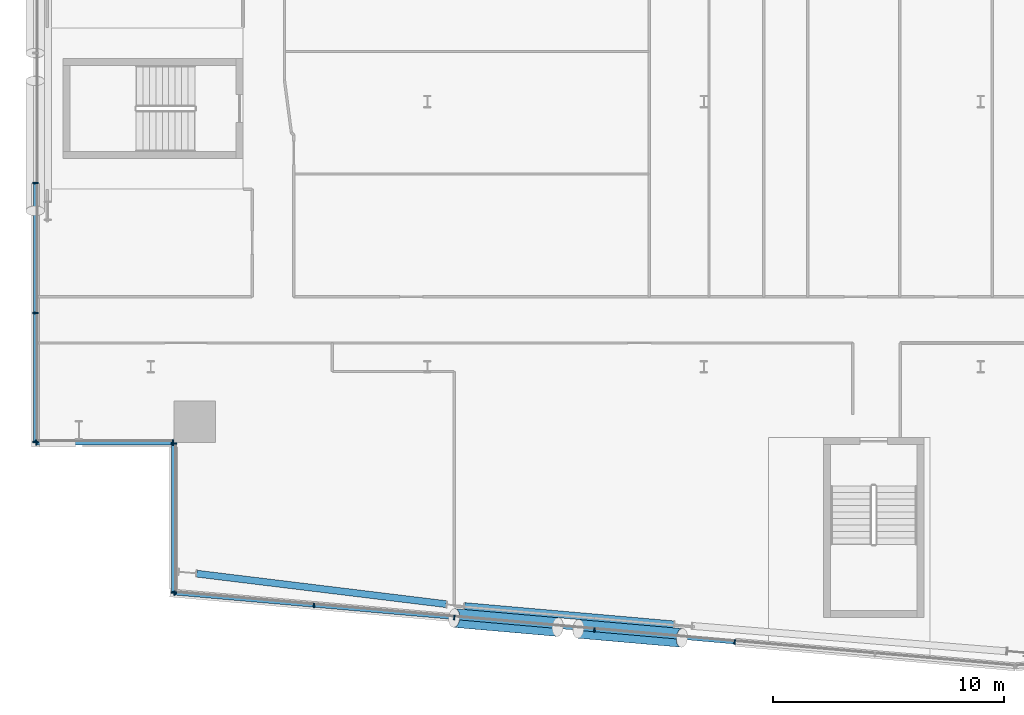
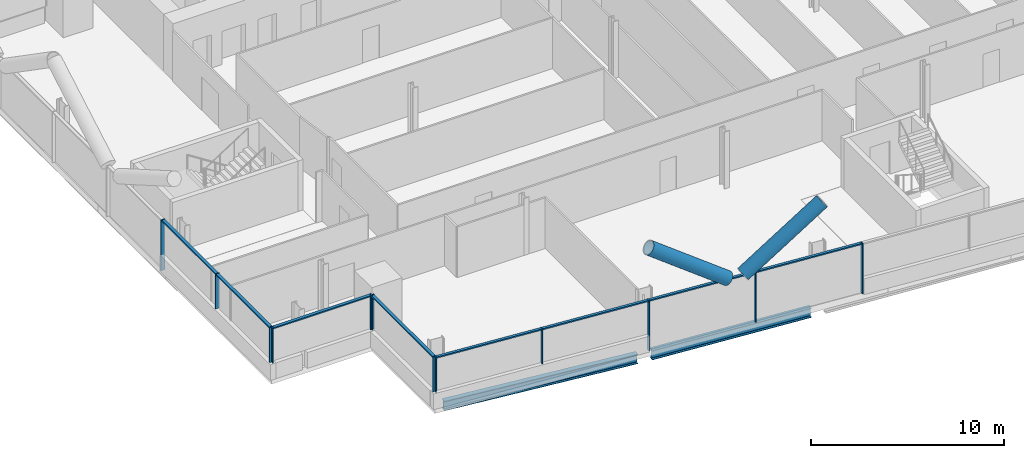
# One storey, part 5 of 27: 22 members, 2 beams, 4 elements without a shape of their own.
"""IFC4 building model written with IfcOpenShell, lengths in metres."""

from ifc_helpers import new_model, si_unit, direction, frame, origin, origin_2d, place, context, subcontext, project, spatial, rectangle, hollow_circle, i_section, extrude, material, material_profile, profile_set, type_object, element, aggregate, save


model = new_model("IFC4")

# Units and contexts
model_context = context("Model", 3, precision=1e-05, world=origin(), true_north=direction((0.0, 1.0)))
body_context = subcontext(model_context, "Body", "Model", "MODEL_VIEW")
ifc_project = project(units=[si_unit("LENGTHUNIT", "METRE"), si_unit("AREAUNIT", "SQUARE_METRE"), si_unit("VOLUMEUNIT", "CUBIC_METRE"), si_unit("PLANEANGLEUNIT", "RADIAN"), si_unit("MASSUNIT", "GRAM", prefix="KILO")], contexts=[model_context])

# Site, building, storey
site_placement = place(None, origin())
site = spatial("IfcSite", under=ifc_project, at=site_placement, CompositionType="ELEMENT")
building_placement = place(site_placement, origin())
building = spatial("IfcBuilding", under=site, at=building_placement, Name="Wharfspan Tower", CompositionType="ELEMENT")
storey_placement = place(building_placement, frame((0.0, 0.0, 139.899902)))
storey = spatial("IfcBuildingStorey", under=building, at=storey_placement, Name="L33", CompositionType="ELEMENT", Elevation=139.899902)

# Beams
ifc_material_1 = material(Name="Steel S355J2", Category="steel")
ifc_material_profile_1 = material_profile(ifc_material_1, i_section(OverallWidth=0.300049, OverallDepth=0.600098, WebThickness=0.015381, FlangeThickness=0.030029, FilletRadius=0.0271, at=origin_2d()))
ifc_profile_set_1 = profile_set([ifc_material_profile_1], Name="Steel S355J2")
beam_type = type_object("IfcBeamType", Name="Edge beam HEB 600", PredefinedType="SPANDREL", material=ifc_profile_set_1)
beam_1_placement = place(storey_placement, frame((13.990967, 2.520508, -0.699951), z_axis=(0.992611, -0.121342, 0.0), x_axis=(0.121342, 0.992611, 0.0)))
element("IfcBeam", 1, at=beam_1_placement, inside=storey, type_object=beam_type, Name="Edge beam S1 L33 PS1.1 to PS1.2", PredefinedType="SPANDREL", context=body_context, shape_type="SweptSolid", body=[
    extrude(i_section(OverallWidth=0.300049, OverallDepth=0.600098, WebThickness=0.015381, FlangeThickness=0.030029, FilletRadius=0.0271, at=origin_2d()), origin(), (0.0, 0.0, 1.0), 10.903076),
])
beam_2_placement = place(storey_placement, frame((25.615234, 1.113525, -0.699951), z_axis=(0.996195, -0.087151, 0.0), x_axis=(0.087151, 0.996195, 0.0)))
element("IfcBeam", 2, at=beam_2_placement, inside=storey, type_object=beam_type, Name="Edge beam S1 L33 PS1.2 to PS1.3", PredefinedType="SPANDREL", context=body_context, shape_type="SweptSolid", body=[
    extrude(i_section(OverallWidth=0.300049, OverallDepth=0.600098, WebThickness=0.015381, FlangeThickness=0.030029, FilletRadius=0.0271, at=origin_2d()), origin(), (0.0, 0.0, 1.0), 9.107178),
])

# Curtain wall, members
ifc_material_2 = material(Name="Aluminium 6063-T6", Category="aluminium")
curtain_wall_type_1 = type_object("IfcCurtainWallType", Name="CURTAIN WALL FACETED FRONT", PredefinedType="NOTDEFINED", material=ifc_material_2)
curtain_wall_1_placement = place(storey_placement, origin())
curtain_wall_1 = element("IfcCurtainWall", 3, at=curtain_wall_1_placement, inside=storey, type_object=curtain_wall_type_1, Name="Curtain wall S1", PredefinedType="NOTDEFINED")
ifc_material_profile_2 = material_profile(ifc_material_2, rectangle(XDim=0.199951, YDim=0.060059, at=origin_2d()))
ifc_profile_set_2 = profile_set([ifc_material_profile_2], Name="Aluminium 6063-T6")
member_type_1 = type_object("IfcMemberType", Name="MULLION FACETED FRONT 60x200", PredefinedType="MULLION", material=ifc_profile_set_2)
member_1_placement = place(storey_placement, frame((13.029785, 1.672363, 1.0), z_axis=(0.0, 0.0, 1.0), x_axis=(0.087156, 0.996198, 0.0)))
member_1 = element("IfcMember", 4, at=member_1_placement, type_object=member_type_1, Name="Curtain wall S1 mullion 1", PredefinedType="MULLION", context=body_context, shape_type="SweptSolid", body=[
    extrude(rectangle(XDim=0.199951, YDim=0.060059, at=origin_2d()), origin(), (0.0, 0.0, 1.0), 2.200195),
])
member_2_placement = place(storey_placement, frame((19.083252, 1.142822, 1.0), z_axis=(0.0, 0.0, 1.0), x_axis=(0.087156, 0.996198, 0.0)))
member_2 = element("IfcMember", 5, at=member_2_placement, type_object=member_type_1, Name="Curtain wall S1 mullion 2", PredefinedType="MULLION", context=body_context, shape_type="SweptSolid", body=[
    extrude(rectangle(XDim=0.199951, YDim=0.060059, at=origin_2d()), origin(), (0.0, 0.0, 1.0), 2.200195),
])
member_3_placement = place(storey_placement, frame((25.166748, 0.610596, 0.0), z_axis=(0.0, 0.0, 1.0), x_axis=(0.087156, 0.996198, 0.0)))
member_3 = element("IfcMember", 6, at=member_3_placement, type_object=member_type_1, Name="Curtain wall S1 mullion 3", PredefinedType="MULLION", context=body_context, shape_type="SweptSolid", body=[
    extrude(rectangle(XDim=0.199951, YDim=0.060059, at=origin_2d()), origin(), (0.0, 0.0, 1.0), 3.200195),
])
member_4_placement = place(storey_placement, frame((31.25, 0.078369, 0.0), z_axis=(0.0, 0.0, 1.0), x_axis=(0.087156, 0.996198, 0.0)))
member_4 = element("IfcMember", 7, at=member_4_placement, type_object=member_type_1, Name="Curtain wall S1 mullion 4", PredefinedType="MULLION", context=body_context, shape_type="SweptSolid", body=[
    extrude(rectangle(XDim=0.199951, YDim=0.060059, at=origin_2d()), origin(), (0.0, 0.0, 1.0), 3.200195),
])
member_5_placement = place(storey_placement, frame((37.333252, -0.453857, 0.0), z_axis=(0.0, 0.0, 1.0), x_axis=(0.087156, 0.996198, 0.0)))
member_5 = element("IfcMember", 8, at=member_5_placement, type_object=member_type_1, Name="Curtain wall S1 mullion 5", PredefinedType="MULLION", context=body_context, shape_type="SweptSolid", body=[
    extrude(rectangle(XDim=0.199951, YDim=0.060059, at=origin_2d()), origin(), (0.0, 0.0, 1.0), 3.200195),
])

curtain_wall_type_2 = type_object("IfcCurtainWallType", Name="CURTAIN WALL PROW AND END", PredefinedType="NOTDEFINED", material=ifc_material_2)
curtain_wall_2_placement = place(storey_placement, origin())
curtain_wall_2 = element("IfcCurtainWall", 9, at=curtain_wall_2_placement, inside=storey, type_object=curtain_wall_type_2, Name="Curtain wall W", PredefinedType="NOTDEFINED")
ifc_material_profile_3 = material_profile(ifc_material_2, rectangle(XDim=0.23999, YDim=0.060059, at=origin_2d()))
ifc_profile_set_3 = profile_set([ifc_material_profile_3], Name="Aluminium 6063-T6")
member_type_2 = type_object("IfcMemberType", Name="MULLION PROW AND END 60x240", PredefinedType="MULLION", material=ifc_profile_set_3)
member_6_placement = place(storey_placement, frame((7.0, 19.466553, 0.0), z_axis=(0.0, 0.0, 1.0), x_axis=(1.0, 0.0, 0.0)))
member_6 = element("IfcMember", 10, at=member_6_placement, type_object=member_type_2, Name="Curtain wall W mullion 5", PredefinedType="MULLION", context=body_context, shape_type="SweptSolid", body=[
    extrude(rectangle(XDim=0.23999, YDim=0.060059, at=origin_2d()), origin(), (0.0, 0.0, 1.0), 3.200195),
])
member_7_placement = place(storey_placement, frame((7.0, 13.833252, 1.0), z_axis=(0.0, 0.0, 1.0), x_axis=(1.0, 0.0, 0.0)))
member_7 = element("IfcMember", 11, at=member_7_placement, type_object=member_type_2, Name="Curtain wall W mullion 6", PredefinedType="MULLION", context=body_context, shape_type="SweptSolid", body=[
    extrude(rectangle(XDim=0.23999, YDim=0.060059, at=origin_2d()), origin(), (0.0, 0.0, 1.0), 2.200195),
])
member_8_placement = place(storey_placement, frame((7.0, 8.22998, 1.0), z_axis=(0.0, 0.0, 1.0), x_axis=(1.0, 0.0, 0.0)))
member_8 = element("IfcMember", 12, at=member_8_placement, type_object=member_type_2, Name="Curtain wall W mullion 7", PredefinedType="MULLION", context=body_context, shape_type="SweptSolid", body=[
    extrude(rectangle(XDim=0.23999, YDim=0.060059, at=origin_2d()), origin(), (0.0, 0.0, 1.0), 2.200195),
])

curtain_wall_3_placement = place(storey_placement, origin())
curtain_wall_3 = element("IfcCurtainWall", 13, at=curtain_wall_3_placement, inside=storey, type_object=curtain_wall_type_2, Name="Curtain wall NFW-H", PredefinedType="NOTDEFINED")
member_9_placement = place(storey_placement, frame((7.030029, 8.199951, 1.0), z_axis=(0.0, 0.0, 1.0), x_axis=(0.0, 1.0, 0.0)))
member_9 = element("IfcMember", 14, at=member_9_placement, type_object=member_type_2, Name="Curtain wall NFW-H mullion 1", PredefinedType="MULLION", context=body_context, shape_type="SweptSolid", body=[
    extrude(rectangle(XDim=0.23999, YDim=0.060059, at=origin_2d()), origin(), (0.0, 0.0, 1.0), 2.200195),
])
member_10_placement = place(storey_placement, frame((12.969971, 8.199951, 1.0), z_axis=(0.0, 0.0, 1.0), x_axis=(0.0, 1.0, 0.0)))
member_10 = element("IfcMember", 15, at=member_10_placement, type_object=member_type_2, Name="Curtain wall NFW-H mullion 2", PredefinedType="MULLION", context=body_context, shape_type="SweptSolid", body=[
    extrude(rectangle(XDim=0.23999, YDim=0.060059, at=origin_2d()), origin(), (0.0, 0.0, 1.0), 2.200195),
])

curtain_wall_4_placement = place(storey_placement, origin())
curtain_wall_4 = element("IfcCurtainWall", 16, at=curtain_wall_4_placement, inside=storey, type_object=curtain_wall_type_2, Name="Curtain wall NFW-V", PredefinedType="NOTDEFINED")
member_11_placement = place(storey_placement, frame((13.0, 8.169922, 1.0), z_axis=(0.0, 0.0, 1.0), x_axis=(1.0, 0.0, 0.0)))
member_11 = element("IfcMember", 17, at=member_11_placement, type_object=member_type_2, Name="Curtain wall NFW-V mullion 1", PredefinedType="MULLION", context=body_context, shape_type="SweptSolid", body=[
    extrude(rectangle(XDim=0.23999, YDim=0.060059, at=origin_2d()), origin(), (0.0, 0.0, 1.0), 2.200195),
])
member_12_placement = place(storey_placement, frame((13.0, 1.705078, 1.0), z_axis=(0.0, 0.0, 1.0), x_axis=(1.0, 0.0, 0.0)))
member_12 = element("IfcMember", 18, at=member_12_placement, type_object=member_type_2, Name="Curtain wall NFW-V mullion 2", PredefinedType="MULLION", context=body_context, shape_type="SweptSolid", body=[
    extrude(rectangle(XDim=0.23999, YDim=0.060059, at=origin_2d()), origin(), (0.0, 0.0, 1.0), 2.200195),
])

# Members
ifc_material_3 = material(Name="Steel S460NH", Category="steel")
ifc_material_profile_4 = material_profile(ifc_material_3, hollow_circle(Radius=0.406494, WallThickness=0.040039, at=origin_2d()))
ifc_profile_set_4 = profile_set([ifc_material_profile_4], Name="Steel S460NH")
member_type_3 = type_object("IfcMemberType", Name="Mega brace CHS 813x40", PredefinedType="BRACE", material=ifc_profile_set_4)
member_13_placement = place(storey_placement, frame((30.551514, 0.124512, 3.227051), z_axis=(0.806035, -0.07053, 0.58765), x_axis=(0.087168, 0.996195, 2e-06)))
element("IfcMember", 19, at=member_13_placement, inside=storey, type_object=member_type_3, Name="Mega brace S1 L33 part 2", PredefinedType="BRACE", context=body_context, shape_type="SweptSolid", body=[
    extrude(hollow_circle(Radius=0.406494, WallThickness=0.040039, at=origin_2d()), origin(), (0.0, 0.0, 1.0), 5.56958),
])
member_14_placement = place(storey_placement, frame((29.654785, 0.202881, 3.227051), z_axis=(-0.806051, 0.070528, 0.587629), x_axis=(-0.087168, -0.996193, -4e-06)))
element("IfcMember", 20, at=member_14_placement, inside=storey, type_object=member_type_3, Name="Mega brace S1 L33 part 4", PredefinedType="BRACE", context=body_context, shape_type="SweptSolid", body=[
    extrude(hollow_circle(Radius=0.406494, WallThickness=0.040039, at=origin_2d()), origin(), (0.0, 0.0, 1.0), 5.569824),
])

# Member
ifc_material_profile_5 = material_profile(ifc_material_2, rectangle(XDim=0.159912, YDim=0.080078, at=origin_2d()))
ifc_profile_set_5 = profile_set([ifc_material_profile_5], Name="Aluminium 6063-T6")
member_type_4 = type_object("IfcMemberType", Name="TRANSOM FACETED FRONT 80x160", PredefinedType="USERDEFINED", material=ifc_profile_set_5)
member_15_placement = place(storey_placement, frame((13.059814, 1.669922, 3.160156), z_axis=(0.996194, -0.087162, 0.0), x_axis=(0.087162, 0.996194, 0.0)))
member_15 = element("IfcMember", 21, at=member_15_placement, type_object=member_type_4, Name="Curtain wall S1 transom 1", ObjectType="TRANSOM", PredefinedType="USERDEFINED", context=body_context, shape_type="SweptSolid", body=[
    extrude(rectangle(XDim=0.159912, YDim=0.080078, at=origin_2d()), origin(), (0.0, 0.0, 1.0), 6.016602),
])

member_16_placement = place(storey_placement, frame((19.113281, 1.140137, 3.160156), z_axis=(0.996197, -0.087135, 0.0), x_axis=(0.087135, 0.996197, 0.0)))
member_16 = element("IfcMember", 22, at=member_16_placement, type_object=member_type_4, Name="Curtain wall S1 transom 2", ObjectType="TRANSOM", PredefinedType="USERDEFINED", context=body_context, shape_type="SweptSolid", body=[
    extrude(rectangle(XDim=0.159912, YDim=0.080078, at=origin_2d()), origin(), (0.0, 0.0, 1.0), 6.046387),
])

member_17_placement = place(storey_placement, frame((25.196533, 0.60791, 3.160156), z_axis=(0.996197, -0.087131, 0.0), x_axis=(0.087131, 0.996197, 0.0)))
member_17 = element("IfcMember", 23, at=member_17_placement, type_object=member_type_4, Name="Curtain wall S1 transom 3", ObjectType="TRANSOM", PredefinedType="USERDEFINED", context=body_context, shape_type="SweptSolid", body=[
    extrude(rectangle(XDim=0.159912, YDim=0.080078, at=origin_2d()), origin(), (0.0, 0.0, 1.0), 6.046631),
])

member_18_placement = place(storey_placement, frame((31.279785, 0.075684, 3.160156), z_axis=(0.996197, -0.087131, 0.0), x_axis=(0.087131, 0.996197, 0.0)))
member_18 = element("IfcMember", 24, at=member_18_placement, type_object=member_type_4, Name="Curtain wall S1 transom 4", ObjectType="TRANSOM", PredefinedType="USERDEFINED", context=body_context, shape_type="SweptSolid", body=[
    extrude(rectangle(XDim=0.159912, YDim=0.080078, at=origin_2d()), origin(), (0.0, 0.0, 1.0), 6.046631),
])

aggregate(curtain_wall_1, [member_1, member_2, member_3, member_4, member_5, member_15, member_16, member_17, member_18])

ifc_material_profile_6 = material_profile(ifc_material_2, rectangle(XDim=0.179932, YDim=0.080078, at=origin_2d()))
ifc_profile_set_6 = profile_set([ifc_material_profile_6], Name="Aluminium 6063-T6")
member_type_5 = type_object("IfcMemberType", Name="TRANSOM PROW AND END 80x180", PredefinedType="USERDEFINED", material=ifc_profile_set_6)
member_19_placement = place(storey_placement, frame((7.0, 19.436768, 3.160156), z_axis=(0.0, -1.0, 0.0), x_axis=(1.0, 0.0, 0.0)))
member_19 = element("IfcMember", 25, at=member_19_placement, type_object=member_type_5, Name="Curtain wall W transom 5", ObjectType="TRANSOM", PredefinedType="USERDEFINED", context=body_context, shape_type="SweptSolid", body=[
    extrude(rectangle(XDim=0.179932, YDim=0.080078, at=origin_2d()), origin(), (0.0, 0.0, 1.0), 5.573486),
])

member_20_placement = place(storey_placement, frame((7.0, 13.803223, 3.160156), z_axis=(0.0, -1.0, 0.0), x_axis=(1.0, 0.0, 0.0)))
member_20 = element("IfcMember", 26, at=member_20_placement, type_object=member_type_5, Name="Curtain wall W transom 6", ObjectType="TRANSOM", PredefinedType="USERDEFINED", context=body_context, shape_type="SweptSolid", body=[
    extrude(rectangle(XDim=0.179932, YDim=0.080078, at=origin_2d()), origin(), (0.0, 0.0, 1.0), 5.543213),
])

aggregate(curtain_wall_2, [member_6, member_7, member_8, member_19, member_20])

member_21_placement = place(storey_placement, frame((7.060059, 8.199951, 3.160156), z_axis=(1.0, 0.0, 0.0), x_axis=(0.0, 1.0, 0.0)))
member_21 = element("IfcMember", 27, at=member_21_placement, type_object=member_type_5, Name="Curtain wall NFW-H transom 1", ObjectType="TRANSOM", PredefinedType="USERDEFINED", context=body_context, shape_type="SweptSolid", body=[
    extrude(rectangle(XDim=0.179932, YDim=0.080078, at=origin_2d()), origin(), (0.0, 0.0, 1.0), 5.879883),
])

aggregate(curtain_wall_3, [member_9, member_10, member_21])

member_22_placement = place(storey_placement, frame((13.0, 8.139893, 3.160156), z_axis=(0.0, -1.0, 0.0), x_axis=(1.0, 0.0, 0.0)))
member_22 = element("IfcMember", 28, at=member_22_placement, type_object=member_type_5, Name="Curtain wall NFW-V transom 1", ObjectType="TRANSOM", PredefinedType="USERDEFINED", context=body_context, shape_type="SweptSolid", body=[
    extrude(rectangle(XDim=0.179932, YDim=0.080078, at=origin_2d()), origin(), (0.0, 0.0, 1.0), 6.404785),
])

aggregate(curtain_wall_4, [member_11, member_12, member_22])

save(model, "model.ifc")
